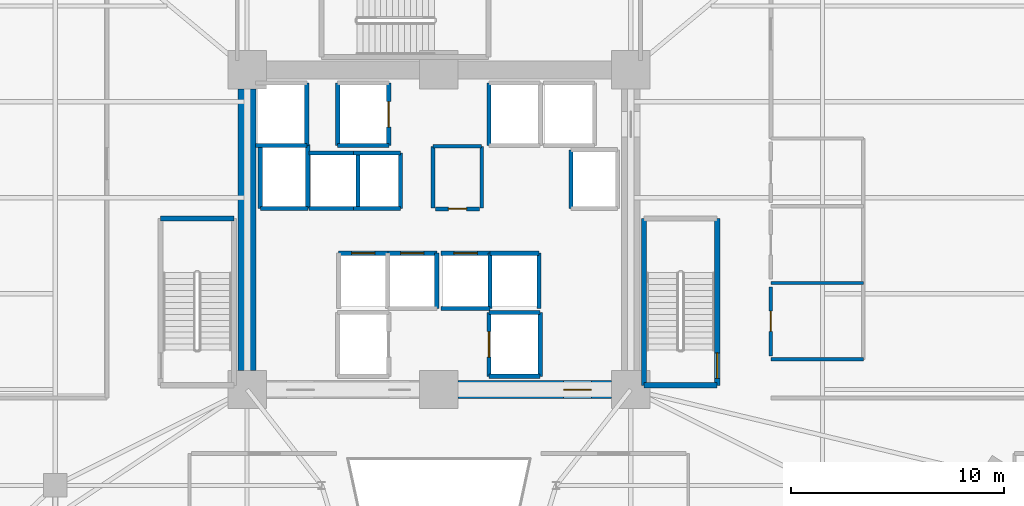
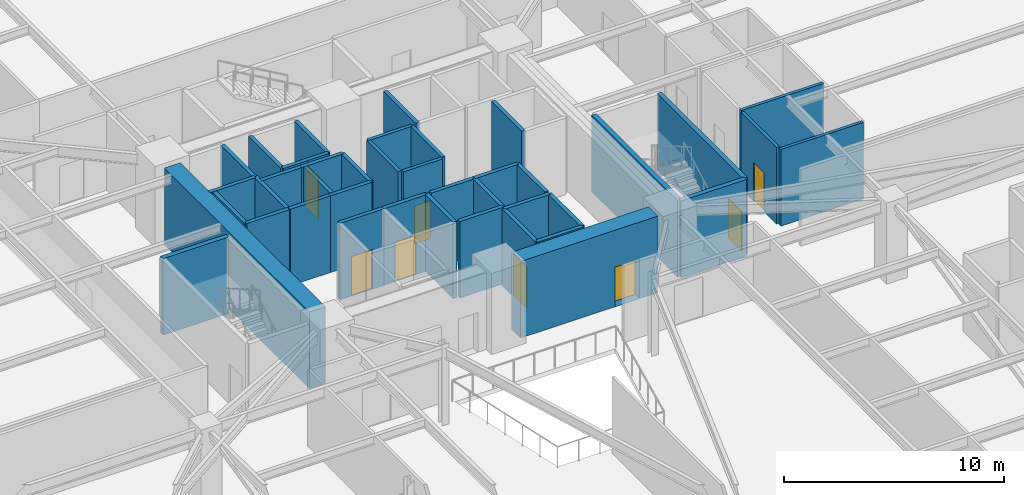
# One storey, part 20 of 29: 41 walls, 9 doors, 9 openings.
"""IFC4 building model written with IfcOpenShell, lengths in metres."""

from ifc_helpers import new_model, si_unit, direction, frame, frame_2d, origin, place, context, subcontext, project, spatial, rectangle, extrude, source, transform, mapped, material, layer, layer_set, type_object, element, fill, save


model = new_model("IFC4")

# Units and contexts
model_context = context("Model", 3, precision=1e-05, world=origin(), true_north=direction((0.0, 1.0)))
body_context = subcontext(model_context, "Body", "Model", "MODEL_VIEW")
ifc_project = project(units=[si_unit("LENGTHUNIT", "METRE"), si_unit("AREAUNIT", "SQUARE_METRE"), si_unit("VOLUMEUNIT", "CUBIC_METRE"), si_unit("PLANEANGLEUNIT", "RADIAN"), si_unit("MASSUNIT", "GRAM", prefix="KILO")], contexts=[model_context])

# Site, building, storey
site_placement = place(None, origin())
site = spatial("IfcSite", under=ifc_project, at=site_placement, CompositionType="ELEMENT")
building_placement = place(site_placement, origin())
building = spatial("IfcBuilding", under=site, at=building_placement, Name="Liaohun Quay Tower", CompositionType="ELEMENT")
storey_placement = place(building_placement, frame((0.0, 0.0, 5.39990234375)))
storey = spatial("IfcBuildingStorey", under=building, at=storey_placement, Name="L02", CompositionType="ELEMENT", Elevation=5.39990234375)

# Wall, opening, door
ifc_material_1 = material(Name="Concrete C60", Category="concrete")
ifc_layer_1 = layer(ifc_material_1, 0.85009765625, Name="Concrete C60", Category="concrete")
ifc_layer_set_1 = layer_set([ifc_layer_1], Name="Concrete C60")
wall_type_1 = type_object("IfcWallType", Name="WAL-COR-Z1", PredefinedType="SHEAR", material=ifc_layer_set_1)
wall_1_placement = place(storey_placement, frame((68.10009765625, 46.5, 0.0), z_axis=(0.0, 0.0, 1.0), x_axis=(-1.0, 0.0, 0.0)))
wall_1 = element("IfcWall", 1, at=wall_1_placement, inside=storey, type_object=wall_type_1, Name="L02 Central Core Shear Wall S-E", PredefinedType="SHEAR", context=body_context, shape_type="SweptSolid", body=[
    extrude(rectangle(XDim=7.2001953125, YDim=0.85009765625, at=frame_2d((3.60009765625, 0.0))), origin(), (0.0, 0.0, 1.0), 4.25),
])
shared_shape_1 = source(origin(), body_context, "Body", "SweptSolid", [
    extrude(rectangle(XDim=1.300048828125, YDim=2.199951171875, at=frame_2d((0.64990234375, 1.10009765625))), frame((0.0, 0.43505859375, 0.0), z_axis=(0.0, -1.0, 0.0), x_axis=(1.0, 0.0, 0.0)), (0.0, 0.0, 1.0), 0.8701171875),
])
opening_1_placement = place(wall_1_placement, frame((0.949951171875, 0.0, 0.0)))
opening_1 = element("IfcOpeningElement", 2, at=opening_1_placement, cuts=wall_1, Name="Opening FD1", PredefinedType="OPENING", context=body_context, shape_type="MappedRepresentation", body=[
    mapped(shared_shape_1, transform((0.0, 0.0, 0.0), x_axis=(1.0, 0.0, 0.0), y_axis=(0.0, 1.0, 0.0), z_axis=(0.0, 0.0, 1.0), scale=1.0)),
])
ifc_material_2 = material(Name="Galvanised steel smokeproof fire door", Category="steel")
door_type_1 = type_object("IfcDoorType", Name="DOR-FFL-1300", OperationType="NOTDEFINED", PredefinedType="DOOR", material=ifc_material_2)
shared_shape_2 = source(origin(), body_context, "Body", "SweptSolid", [
    extrude(rectangle(XDim=1.300048828125, YDim=2.199951171875, at=frame_2d((0.64990234375, 1.10009765625))), frame((0.0, 0.02490234375, 0.0), z_axis=(0.0, -1.0, 0.0), x_axis=(1.0, 0.0, 0.0)), (0.0, 0.0, 1.0), 0.050048828125),
])
door_1_placement = place(opening_1_placement, origin())
door_1 = element("IfcDoor", 3, at=door_1_placement, inside=storey, type_object=door_type_1, Name="L02 East Core Lift Lobby Smokeproof Door", OperationType="SINGLE_SWING_LEFT", OverallHeight=2.199951171875, OverallWidth=1.300048828125, PredefinedType="DOOR", context=body_context, shape_type="MappedRepresentation", body=[
    mapped(shared_shape_2, transform((0.0, 0.0, 0.0), x_axis=(1.0, 0.0, 0.0), y_axis=(0.0, 1.0, 0.0), z_axis=(0.0, 0.0, 1.0), scale=1.0)),
])
fill(opening_1, door_1)

# Wall
wall_2_placement = place(storey_placement, frame((51.0, 47.39990234375, 0.0), z_axis=(0.0, 0.0, 1.0), x_axis=(0.0, 1.0, 0.0)))
element("IfcWall", 4, at=wall_2_placement, inside=storey, type_object=wall_type_1, Name="L02 Central Core Shear Wall W", PredefinedType="SHEAR", context=body_context, shape_type="SweptSolid", body=[
    extrude(rectangle(XDim=13.2001953125, YDim=0.85009765625, at=frame_2d((6.60009765625, 0.0))), origin(), (0.0, 0.0, 1.0), 4.25),
])

# Wall, opening, door
ifc_material_3 = material(Name="Autoclaved aerated concrete blockwork", Category="masonry")
ifc_layer_2 = layer(ifc_material_3, 0.179931640625, Name="Autoclaved aerated concrete blockwork", Category="masonry")
ifc_layer_set_2 = layer_set([ifc_layer_2], Name="Autoclaved aerated concrete blockwork")
wall_type_2 = type_object("IfcWallType", Name="WAL-PRT-COR", PredefinedType="PARTITIONING", material=ifc_layer_set_2)
wall_3_placement = place(storey_placement, frame((59.840087890625, 54.97998046875, 0.0), z_axis=(0.0, 0.0, 1.0), x_axis=(1.0, 0.0, 0.0)))
wall_3 = element("IfcWall", 5, at=wall_3_placement, inside=storey, type_object=wall_type_2, Name="L02 Interior Partition Wall 001", PredefinedType="PARTITIONING", context=body_context, shape_type="SweptSolid", body=[
    extrude(rectangle(XDim=2.059814453125, YDim=0.179931640625, at=frame_2d((1.02978515625, 0.0))), origin(), (0.0, 0.0, 1.0), 4.25),
])
shared_shape_3 = source(origin(), body_context, "Body", "SweptSolid", [
    extrude(rectangle(XDim=0.85009765625, YDim=2.10009765625, at=frame_2d((0.425048828125, 1.050048828125))), frame((0.0, 0.099853515625, 0.0), z_axis=(0.0, -1.0, 0.0), x_axis=(1.0, 0.0, 0.0)), (0.0, 0.0, 1.0), 0.199951171875),
])
opening_2_placement = place(wall_3_placement, frame((0.60498046875, 0.0, 0.0)))
opening_2 = element("IfcOpeningElement", 6, at=opening_2_placement, cuts=wall_3, Name="Opening AD1", PredefinedType="OPENING", context=body_context, shape_type="MappedRepresentation", body=[
    mapped(shared_shape_3, transform((0.0, 0.0, 0.0), x_axis=(1.0, 0.0, 0.0), y_axis=(0.0, 1.0, 0.0), z_axis=(0.0, 0.0, 1.0), scale=1.0)),
])
ifc_material_4 = material(Name="Steel riser inspection fire door", Category="steel")
door_type_2 = type_object("IfcDoorType", Name="DOR-SHF-850", OperationType="NOTDEFINED", PredefinedType="DOOR", material=ifc_material_4)
shared_shape_4 = source(origin(), body_context, "Body", "SweptSolid", [
    extrude(rectangle(XDim=0.85009765625, YDim=2.10009765625, at=frame_2d((0.425048828125, 1.050048828125))), frame((0.0, 0.02490234375, 0.0), z_axis=(0.0, -1.0, 0.0), x_axis=(1.0, 0.0, 0.0)), (0.0, 0.0, 1.0), 0.050048828125),
])
door_2_placement = place(opening_2_placement, origin())
door_2 = element("IfcDoor", 7, at=door_2_placement, inside=storey, type_object=door_type_2, Name="L02 Core Electrical and Telecom Riser Room Door", OperationType="SINGLE_SWING_LEFT", OverallHeight=2.10009765625, OverallWidth=0.85009765625, PredefinedType="DOOR", context=body_context, shape_type="MappedRepresentation", body=[
    mapped(shared_shape_4, transform((0.0, 0.0, 0.0), x_axis=(1.0, 0.0, 0.0), y_axis=(0.0, 1.0, 0.0), z_axis=(0.0, 0.0, 1.0), scale=1.0)),
])
fill(opening_2, door_2)

# Walls
for number, where, z_axis, x_axis, name in (
    (8, (59.719970703125, 55.02001953125, 0.0), (0.0, 0.0, 1.0), (0.0, 1.0, 0.0), "L02 Interior Partition Wall 016"),
    (9, (62.010009765625, 55.02001953125, 0.0), (0.0, 0.0, 1.0), (0.0, 1.0, 0.0), "L02 Interior Partition Wall 017"),
):
    element("IfcWall", number, at=place(storey_placement, frame(where, z_axis=z_axis, x_axis=x_axis)), inside=storey, type_object=wall_type_2, Name=name, PredefinedType="PARTITIONING", context=body_context, shape_type="SweptSolid", body=[
        extrude(rectangle(XDim=2.8798828125, YDim=0.179931640625, at=frame_2d((1.43994140625, 0.0))), origin(), (0.0, 0.0, 1.0), 4.25),
    ])
wall_4_placement = place(storey_placement, frame((59.719970703125, 57.919921875, 0.0), z_axis=(0.0, 0.0, 1.0), x_axis=(1.0, 0.0, 0.0)))
element("IfcWall", 10, at=wall_4_placement, inside=storey, type_object=wall_type_2, Name="L02 Interior Partition Wall 018", PredefinedType="PARTITIONING", context=body_context, shape_type="SweptSolid", body=[
    extrude(rectangle(XDim=2.2900390625, YDim=0.179931640625, at=frame_2d((1.14501953125, 0.0))), origin(), (0.0, 0.0, 1.0), 4.25),
])

# Wall, opening, door
ifc_material_5 = material(Name="Moisture-resistant masonry blockwork", Category="masonry")
ifc_layer_3 = layer(ifc_material_5, 0.159912109375, Name="Moisture-resistant masonry blockwork", Category="masonry")
ifc_layer_set_3 = layer_set([ifc_layer_3], Name="Moisture-resistant masonry blockwork")
wall_type_3 = type_object("IfcWallType", Name="WAL-PRT-WET", PredefinedType="PARTITIONING", material=ifc_layer_set_3)
wall_5_placement = place(storey_placement, frame((75.580078125, 48.080078125, 0.0), z_axis=(0.0, 0.0, 1.0), x_axis=(0.0, 1.0, 0.0)))
wall_5 = element("IfcWall", 11, at=wall_5_placement, inside=storey, type_object=wall_type_3, Name="L02 Interior Partition Wall 002", PredefinedType="PARTITIONING", context=body_context, shape_type="SweptSolid", body=[
    extrude(rectangle(XDim=3.239990234375, YDim=0.159912109375, at=frame_2d((1.6201171875, 0.0))), origin(), (0.0, 0.0, 1.0), 4.25),
])
shared_shape_5 = source(origin(), body_context, "Body", "SweptSolid", [
    extrude(rectangle(XDim=0.949951171875, YDim=2.14990234375, at=frame_2d((0.47509765625, 1.074951171875))), frame((0.0, 0.08984375, 0.0), z_axis=(0.0, -1.0, 0.0), x_axis=(1.0, 0.0, 0.0)), (0.0, 0.0, 1.0), 0.179931640625),
])
opening_3_placement = place(wall_5_placement, frame((1.14501953125, 0.0, 0.0)))
opening_3 = element("IfcOpeningElement", 12, at=opening_3_placement, cuts=wall_5, Name="Opening WD1", PredefinedType="OPENING", context=body_context, shape_type="MappedRepresentation", body=[
    mapped(shared_shape_5, transform((0.0, 0.0, 0.0), x_axis=(1.0, 0.0, 0.0), y_axis=(0.0, 1.0, 0.0), z_axis=(0.0, 0.0, 1.0), scale=1.0)),
])
ifc_material_6 = material(Name="Moisture-resistant laminate timber leaf", Category="wood")
door_type_3 = type_object("IfcDoorType", Name="DOR-WC-950", OperationType="NOTDEFINED", PredefinedType="DOOR", material=ifc_material_6)
shared_shape_6 = source(origin(), body_context, "Body", "SweptSolid", [
    extrude(rectangle(XDim=0.949951171875, YDim=2.14990234375, at=frame_2d((0.47509765625, 1.074951171875))), frame((0.0, 0.02490234375, 0.0), z_axis=(0.0, -1.0, 0.0), x_axis=(1.0, 0.0, 0.0)), (0.0, 0.0, 1.0), 0.050048828125),
])
door_3_placement = place(opening_3_placement, origin())
door_3 = element("IfcDoor", 13, at=door_3_placement, inside=storey, type_object=door_type_3, Name="L02 Podium Male Restroom WC Door", OperationType="SINGLE_SWING_RIGHT", OverallHeight=2.14990234375, OverallWidth=0.949951171875, PredefinedType="DOOR", context=body_context, shape_type="MappedRepresentation", body=[
    mapped(shared_shape_6, transform((0.0, 0.0, 0.0), x_axis=(1.0, 0.0, 0.0), y_axis=(0.0, 1.0, 0.0), z_axis=(0.0, 0.0, 1.0), scale=1.0)),
])
fill(opening_3, door_3)

# Walls
for number, where, z_axis, x_axis, name in (
    (14, (75.580078125, 47.919921875, 0.0), (0.0, 0.0, 1.0), (1.0, 0.0, 0.0), "L02 Interior Partition Wall 020"),
    (15, (75.580078125, 51.5, 0.0), (0.0, 0.0, 1.0), (1.0, 0.0, 0.0), "L02 Interior Partition Wall 021"),
):
    element("IfcWall", number, at=place(storey_placement, frame(where, z_axis=z_axis, x_axis=x_axis)), inside=storey, type_object=wall_type_3, Name=name, PredefinedType="PARTITIONING", context=body_context, shape_type="SweptSolid", body=[
        extrude(rectangle(XDim=4.33984375, YDim=0.159912109375, at=frame_2d((2.169921875, 0.0))), origin(), (0.0, 0.0, 1.0), 4.25),
    ])
ifc_material_7 = material(Name="Concrete C50", Category="concrete")
ifc_layer_4 = layer(ifc_material_7, 0.239990234375, Name="Concrete C50", Category="concrete")
ifc_layer_set_4 = layer_set([ifc_layer_4], Name="Concrete C50")
wall_type_4 = type_object("IfcWallType", Name="WAL-SHF-200", PredefinedType="SOLIDWALL", material=ifc_layer_set_4)
for number, where, z_axis, x_axis, name in (
    (16, (50.3798828125, 54.52001953125, 0.0), (0.0, 0.0, 1.0), (-1.0, 0.0, 0.0), "L02 Stairwell ST-1 Structural Core Wall N"),
    (17, (69.6201171875, 46.699951171875, 0.0), (0.0, 0.0, 1.0), (1.0, 0.0, 0.0), "L02 Stairwell ST-2 Structural Core Wall S"),
):
    element("IfcWall", number, at=place(storey_placement, frame(where, z_axis=z_axis, x_axis=x_axis)), inside=storey, type_object=wall_type_4, Name=name, PredefinedType="SOLIDWALL", context=body_context, shape_type="SweptSolid", body=[
        extrude(rectangle(XDim=3.43994140625, YDim=0.239990234375, at=frame_2d((1.719970703125, 0.0))), origin(), (0.0, 0.0, 1.0), 4.25),
    ])

# Wall, opening, door
wall_6_placement = place(storey_placement, frame((73.06005859375, 46.699951171875, 0.0), z_axis=(0.0, 0.0, 1.0), x_axis=(0.0, 1.0, 0.0)))
wall_6 = element("IfcWall", 18, at=wall_6_placement, inside=storey, type_object=wall_type_4, Name="L02 Stairwell ST-2 Structural Core Wall E", PredefinedType="SOLIDWALL", context=body_context, shape_type="SweptSolid", body=[
    extrude(rectangle(XDim=7.820068359375, YDim=0.239990234375, at=frame_2d((3.91015625, 0.0))), origin(), (0.0, 0.0, 1.0), 4.25),
])
shared_shape_7 = source(origin(), body_context, "Body", "SweptSolid", [
    extrude(rectangle(XDim=1.199951171875, YDim=2.199951171875, at=frame_2d((0.60009765625, 1.10009765625))), frame((0.0, 0.1298828125, 0.0), z_axis=(0.0, -1.0, 0.0), x_axis=(1.0, 0.0, 0.0)), (0.0, 0.0, 1.0), 0.260009765625),
])
opening_4_placement = place(wall_6_placement, frame((0.320068359375, 0.0, 0.0)))
opening_4 = element("IfcOpeningElement", 19, at=opening_4_placement, cuts=wall_6, Name="Opening SD1", PredefinedType="OPENING", context=body_context, shape_type="MappedRepresentation", body=[
    mapped(shared_shape_7, transform((0.0, 0.0, 0.0), x_axis=(1.0, 0.0, 0.0), y_axis=(0.0, 1.0, 0.0), z_axis=(0.0, 0.0, 1.0), scale=1.0)),
])
ifc_material_8 = material(Name="Galvanised steel fire door", Category="steel")
door_type_4 = type_object("IfcDoorType", Name="DOR-STR-1200", OperationType="NOTDEFINED", PredefinedType="DOOR", material=ifc_material_8)
shared_shape_8 = source(origin(), body_context, "Body", "SweptSolid", [
    extrude(rectangle(XDim=1.199951171875, YDim=2.199951171875, at=frame_2d((0.60009765625, 1.10009765625))), frame((0.0, 0.02490234375, 0.0), z_axis=(0.0, -1.0, 0.0), x_axis=(1.0, 0.0, 0.0)), (0.0, 0.0, 1.0), 0.050048828125),
])
door_4_placement = place(opening_4_placement, origin())
door_4 = element("IfcDoor", 20, at=door_4_placement, inside=storey, type_object=door_type_4, Name="L02 Protected Stair ST-2 Fire Door", OperationType="SINGLE_SWING_RIGHT", OverallHeight=2.199951171875, OverallWidth=1.199951171875, PredefinedType="DOOR", context=body_context, shape_type="MappedRepresentation", body=[
    mapped(shared_shape_8, transform((0.0, 0.0, 0.0), x_axis=(1.0, 0.0, 0.0), y_axis=(0.0, 1.0, 0.0), z_axis=(0.0, 0.0, 1.0), scale=1.0)),
])
fill(opening_4, door_4)

# Walls
wall_7_placement = place(storey_placement, frame((69.6201171875, 54.52001953125, 0.0), z_axis=(0.0, 0.0, 1.0), x_axis=(0.0, -1.0, 0.0)))
element("IfcWall", 21, at=wall_7_placement, inside=storey, type_object=wall_type_4, Name="L02 Stairwell ST-2 Structural Core Wall W", PredefinedType="SOLIDWALL", context=body_context, shape_type="SweptSolid", body=[
    extrude(rectangle(XDim=7.820068359375, YDim=0.239990234375, at=frame_2d((3.91015625, 0.0))), origin(), (0.0, 0.0, 1.0), 4.25),
])
wall_8_placement = place(storey_placement, frame((62.35009765625, 47.1201171875, 0.0), z_axis=(0.0, 0.0, 1.0), x_axis=(1.0, 0.0, 0.0)))
element("IfcWall", 22, at=wall_8_placement, inside=storey, type_object=wall_type_4, Name="L02 Lift FF-02 Hoistway Wall S", PredefinedType="SOLIDWALL", context=body_context, shape_type="SweptSolid", body=[
    extrude(rectangle(XDim=2.39990234375, YDim=0.199951171875, at=frame_2d((1.199951171875, 0.0))), origin(), (0.0, 0.0, 1.0), 4.25),
])
wall_9_placement = place(storey_placement, frame((64.75, 47.1201171875, 0.0), z_axis=(0.0, 0.0, 1.0), x_axis=(0.0, 1.0, 0.0)))
element("IfcWall", 23, at=wall_9_placement, inside=storey, type_object=wall_type_4, Name="L02 Lift FF-02 Hoistway Wall E", PredefinedType="SOLIDWALL", context=body_context, shape_type="SweptSolid", body=[
    extrude(rectangle(XDim=3.0, YDim=0.199951171875, at=frame_2d((1.5, 0.0))), origin(), (0.0, 0.0, 1.0), 4.25),
])
wall_10_placement = place(storey_placement, frame((64.75, 50.1201171875, 0.0), z_axis=(0.0, 0.0, 1.0), x_axis=(-1.0, 0.0, 0.0)))
element("IfcWall", 24, at=wall_10_placement, inside=storey, type_object=wall_type_4, Name="L02 Lift FF-02 Hoistway Wall N", PredefinedType="SOLIDWALL", context=body_context, shape_type="SweptSolid", body=[
    extrude(rectangle(XDim=2.39990234375, YDim=0.199951171875, at=frame_2d((1.199951171875, 0.0))), origin(), (0.0, 0.0, 1.0), 4.25),
])

# Wall, opening, door
wall_11_placement = place(storey_placement, frame((62.35009765625, 50.1201171875, 0.0), z_axis=(0.0, 0.0, 1.0), x_axis=(0.0, -1.0, 0.0)))
wall_11 = element("IfcWall", 25, at=wall_11_placement, inside=storey, type_object=wall_type_4, Name="L02 Lift FF-02 Hoistway Wall W", PredefinedType="SOLIDWALL", context=body_context, shape_type="SweptSolid", body=[
    extrude(rectangle(XDim=3.0, YDim=0.199951171875, at=frame_2d((1.5, 0.0))), origin(), (0.0, 0.0, 1.0), 4.25),
])
shared_shape_9 = source(origin(), body_context, "Body", "SweptSolid", [
    extrude(rectangle(XDim=1.199951171875, YDim=2.300048828125, at=frame_2d((0.60009765625, 1.14990234375))), frame((0.0, 0.10986328125, 0.0), z_axis=(0.0, -1.0, 0.0), x_axis=(1.0, 0.0, 0.0)), (0.0, 0.0, 1.0), 0.219970703125),
])
opening_5_placement = place(wall_11_placement, frame((0.89990234375, 0.0, 0.0)))
opening_5 = element("IfcOpeningElement", 26, at=opening_5_placement, cuts=wall_11, Name="Opening LD2", PredefinedType="OPENING", context=body_context, shape_type="MappedRepresentation", body=[
    mapped(shared_shape_9, transform((0.0, 0.0, 0.0), x_axis=(1.0, 0.0, 0.0), y_axis=(0.0, 1.0, 0.0), z_axis=(0.0, 0.0, 1.0), scale=1.0)),
])
ifc_material_9 = material(Name="Brushed stainless steel stretcher landing door", Category="steel")
door_type_5 = type_object("IfcDoorType", Name="DOR-LFT-1200", OperationType="SLIDING_TO_LEFT", PredefinedType="DOOR", material=ifc_material_9)
shared_shape_10 = source(origin(), body_context, "Body", "SweptSolid", [
    extrude(rectangle(XDim=1.199951171875, YDim=2.300048828125, at=frame_2d((0.60009765625, 1.14990234375))), frame((0.0, 0.02490234375, 0.0), z_axis=(0.0, -1.0, 0.0), x_axis=(1.0, 0.0, 0.0)), (0.0, 0.0, 1.0), 0.050048828125),
])
door_5_placement = place(opening_5_placement, origin())
door_5 = element("IfcDoor", 27, at=door_5_placement, inside=storey, type_object=door_type_5, Name="L02 Lift FF-02 Sliding Landing Door", OperationType="SLIDING_TO_LEFT", OverallHeight=2.300048828125, OverallWidth=1.199951171875, PredefinedType="DOOR", context=body_context, shape_type="MappedRepresentation", body=[
    mapped(shared_shape_10, transform((0.0, 0.0, 0.0), x_axis=(1.0, 0.0, 0.0), y_axis=(0.0, 1.0, 0.0), z_axis=(0.0, 0.0, 1.0), scale=1.0)),
])
fill(opening_5, door_5)

# Wall
wall_12_placement = place(storey_placement, frame((55.25, 57.949951171875, 0.0), z_axis=(0.0, 0.0, 1.0), x_axis=(1.0, 0.0, 0.0)))
element("IfcWall", 28, at=wall_12_placement, inside=storey, type_object=wall_type_4, Name="L02 Lift FF-03 Hoistway Wall S", PredefinedType="SOLIDWALL", context=body_context, shape_type="SweptSolid", body=[
    extrude(rectangle(XDim=2.39990234375, YDim=0.199951171875, at=frame_2d((1.199951171875, 0.0))), origin(), (0.0, 0.0, 1.0), 4.25),
])

# Wall, opening, door
wall_13_placement = place(storey_placement, frame((57.64990234375, 57.949951171875, 0.0), z_axis=(0.0, 0.0, 1.0), x_axis=(0.0, 1.0, 0.0)))
wall_13 = element("IfcWall", 29, at=wall_13_placement, inside=storey, type_object=wall_type_4, Name="L02 Lift FF-03 Hoistway Wall E", PredefinedType="SOLIDWALL", context=body_context, shape_type="SweptSolid", body=[
    extrude(rectangle(XDim=2.929931640625, YDim=0.199951171875, at=frame_2d((1.46484375, 0.0))), origin(), (0.0, 0.0, 1.0), 4.25),
])
opening_6_placement = place(wall_13_placement, frame((0.864990234375, 0.0, 0.0)))
opening_6 = element("IfcOpeningElement", 30, at=opening_6_placement, cuts=wall_13, Name="Opening LD2", PredefinedType="OPENING", context=body_context, shape_type="MappedRepresentation", body=[
    mapped(shared_shape_9, transform((0.0, 0.0, 0.0), x_axis=(1.0, 0.0, 0.0), y_axis=(0.0, 1.0, 0.0), z_axis=(0.0, 0.0, 1.0), scale=1.0)),
])
door_6_placement = place(opening_6_placement, origin())
door_6 = element("IfcDoor", 31, at=door_6_placement, inside=storey, type_object=door_type_5, Name="L02 Lift FF-03 Sliding Landing Door", OperationType="SLIDING_TO_LEFT", OverallHeight=2.300048828125, OverallWidth=1.199951171875, PredefinedType="DOOR", context=body_context, shape_type="MappedRepresentation", body=[
    mapped(shared_shape_10, transform((0.0, 0.0, 0.0), x_axis=(1.0, 0.0, 0.0), y_axis=(0.0, 1.0, 0.0), z_axis=(0.0, 0.0, 1.0), scale=1.0)),
])
fill(opening_6, door_6)

# Walls
for number, where, z_axis, x_axis, name in (
    (32, (55.25, 60.8798828125, 0.0), (0.0, 0.0, 1.0), (0.0, -1.0, 0.0), "L02 Lift FF-03 Hoistway Wall W"),
    (33, (62.35009765625, 60.8798828125, 0.0), (0.0, 0.0, 1.0), (0.0, -1.0, 0.0), "L02 Lift OB-01 Hoistway Wall W"),
):
    element("IfcWall", number, at=place(storey_placement, frame(where, z_axis=z_axis, x_axis=x_axis)), inside=storey, type_object=wall_type_4, Name=name, PredefinedType="SOLIDWALL", context=body_context, shape_type="SweptSolid", body=[
        extrude(rectangle(XDim=2.929931640625, YDim=0.199951171875, at=frame_2d((1.46484375, 0.0))), origin(), (0.0, 0.0, 1.0), 4.25),
    ])
wall_14_placement = place(storey_placement, frame((51.39990234375, 57.949951171875, 0.0), z_axis=(0.0, 0.0, 1.0), x_axis=(1.0, 0.0, 0.0)))
element("IfcWall", 34, at=wall_14_placement, inside=storey, type_object=wall_type_4, Name="L02 Lift SH-01 Hoistway Wall S", PredefinedType="SOLIDWALL", context=body_context, shape_type="SweptSolid", body=[
    extrude(rectangle(XDim=2.400146484375, YDim=0.199951171875, at=frame_2d((1.2001953125, 0.0))), origin(), (0.0, 0.0, 1.0), 4.25),
])
wall_15_placement = place(storey_placement, frame((53.800048828125, 57.949951171875, 0.0), z_axis=(0.0, 0.0, 1.0), x_axis=(0.0, 1.0, 0.0)))
element("IfcWall", 35, at=wall_15_placement, inside=storey, type_object=wall_type_4, Name="L02 Lift SH-01 Hoistway Wall E", PredefinedType="SOLIDWALL", context=body_context, shape_type="SweptSolid", body=[
    extrude(rectangle(XDim=2.929931640625, YDim=0.199951171875, at=frame_2d((1.46484375, 0.0))), origin(), (0.0, 0.0, 1.0), 4.25),
])
wall_16_placement = place(storey_placement, frame((51.6201171875, 55.0, 0.0), z_axis=(0.0, 0.0, 1.0), x_axis=(1.0, 0.0, 0.0)))
element("IfcWall", 36, at=wall_16_placement, inside=storey, type_object=wall_type_4, Name="L02 Lift SH-02 Hoistway Wall S", PredefinedType="SOLIDWALL", context=body_context, shape_type="SweptSolid", body=[
    extrude(rectangle(XDim=2.22998046875, YDim=0.199951171875, at=frame_2d((1.114990234375, 0.0))), origin(), (0.0, 0.0, 1.0), 4.25),
])
for number, where, z_axis, x_axis, name in (
    (37, (53.85009765625, 55.0, 0.0), (0.0, 0.0, 1.0), (0.0, 1.0, 0.0), "L02 Lift SH-02 Hoistway Wall E"),
    (38, (51.6201171875, 58.0, 0.0), (0.0, 0.0, 1.0), (0.0, -1.0, 0.0), "L02 Lift SH-02 Hoistway Wall W"),
):
    element("IfcWall", number, at=place(storey_placement, frame(where, z_axis=z_axis, x_axis=x_axis)), inside=storey, type_object=wall_type_4, Name=name, PredefinedType="SOLIDWALL", context=body_context, shape_type="SweptSolid", body=[
        extrude(rectangle(XDim=3.0, YDim=0.199951171875, at=frame_2d((1.5, 0.0))), origin(), (0.0, 0.0, 1.0), 4.25),
    ])
wall_17_placement = place(storey_placement, frame((66.199951171875, 57.75, 0.0), z_axis=(0.0, 0.0, 1.0), x_axis=(0.0, -1.0, 0.0)))
element("IfcWall", 39, at=wall_17_placement, inside=storey, type_object=wall_type_4, Name="L02 Lift SH-03 Hoistway Wall W", PredefinedType="SOLIDWALL", context=body_context, shape_type="SweptSolid", body=[
    extrude(rectangle(XDim=2.75, YDim=0.199951171875, at=frame_2d((1.375, 0.0))), origin(), (0.0, 0.0, 1.0), 4.25),
])

# Wall, opening, door
wall_18_placement = place(storey_placement, frame((57.60009765625, 52.89990234375, 0.0), z_axis=(0.0, 0.0, 1.0), x_axis=(-1.0, 0.0, 0.0)))
wall_18 = element("IfcWall", 40, at=wall_18_placement, inside=storey, type_object=wall_type_4, Name="L02 Lift PL-1A Hoistway Wall N", PredefinedType="SOLIDWALL", context=body_context, shape_type="SweptSolid", body=[
    extrude(rectangle(XDim=2.300048828125, YDim=0.199951171875, at=frame_2d((1.14990234375, 0.0))), origin(), (0.0, 0.0, 1.0), 4.25),
])
shared_shape_11 = source(origin(), body_context, "Body", "SweptSolid", [
    extrude(rectangle(XDim=1.10009765625, YDim=2.199951171875, at=frame_2d((0.550048828125, 1.10009765625))), frame((0.0, 0.10986328125, 0.0), z_axis=(0.0, -1.0, 0.0), x_axis=(1.0, 0.0, 0.0)), (0.0, 0.0, 1.0), 0.219970703125),
])
opening_7_placement = place(wall_18_placement, frame((0.60009765625, 0.0, 0.0)))
opening_7 = element("IfcOpeningElement", 41, at=opening_7_placement, cuts=wall_18, Name="Opening LD1", PredefinedType="OPENING", context=body_context, shape_type="MappedRepresentation", body=[
    mapped(shared_shape_11, transform((0.0, 0.0, 0.0), x_axis=(1.0, 0.0, 0.0), y_axis=(0.0, 1.0, 0.0), z_axis=(0.0, 0.0, 1.0), scale=1.0)),
])
ifc_material_10 = material(Name="Brushed stainless steel landing door", Category="steel")
door_type_6 = type_object("IfcDoorType", Name="DOR-LFT-1100", OperationType="SLIDING_TO_LEFT", PredefinedType="DOOR", material=ifc_material_10)
shared_shape_12 = source(origin(), body_context, "Body", "SweptSolid", [
    extrude(rectangle(XDim=1.10009765625, YDim=2.199951171875, at=frame_2d((0.550048828125, 1.10009765625))), frame((0.0, 0.02490234375, 0.0), z_axis=(0.0, -1.0, 0.0), x_axis=(1.0, 0.0, 0.0)), (0.0, 0.0, 1.0), 0.050048828125),
])
door_7_placement = place(opening_7_placement, origin())
door_7 = element("IfcDoor", 42, at=door_7_placement, inside=storey, type_object=door_type_6, Name="L02 Lift PL-1A Sliding Landing Door", OperationType="SLIDING_TO_LEFT", OverallHeight=2.199951171875, OverallWidth=1.10009765625, PredefinedType="DOOR", context=body_context, shape_type="MappedRepresentation", body=[
    mapped(shared_shape_12, transform((0.0, 0.0, 0.0), x_axis=(1.0, 0.0, 0.0), y_axis=(0.0, 1.0, 0.0), z_axis=(0.0, 0.0, 1.0), scale=1.0)),
])
fill(opening_7, door_7)

# Wall
wall_19_placement = place(storey_placement, frame((59.89990234375, 50.300048828125, 0.0), z_axis=(0.0, 0.0, 1.0), x_axis=(0.0, 1.0, 0.0)))
element("IfcWall", 43, at=wall_19_placement, inside=storey, type_object=wall_type_4, Name="L02 Lift PL-1B Hoistway Wall E", PredefinedType="SOLIDWALL", context=body_context, shape_type="SweptSolid", body=[
    extrude(rectangle(XDim=2.599853515625, YDim=0.199951171875, at=frame_2d((1.2998046875, 0.0))), origin(), (0.0, 0.0, 1.0), 4.25),
])

# Wall, opening, door
wall_20_placement = place(storey_placement, frame((59.89990234375, 52.89990234375, 0.0), z_axis=(0.0, 0.0, 1.0), x_axis=(-1.0, 0.0, 0.0)))
wall_20 = element("IfcWall", 44, at=wall_20_placement, inside=storey, type_object=wall_type_4, Name="L02 Lift PL-1B Hoistway Wall N", PredefinedType="SOLIDWALL", context=body_context, shape_type="SweptSolid", body=[
    extrude(rectangle(XDim=2.2998046875, YDim=0.199951171875, at=frame_2d((1.14990234375, 0.0))), origin(), (0.0, 0.0, 1.0), 4.25),
])
opening_8_placement = place(wall_20_placement, frame((0.60009765625, 0.0, 0.0)))
opening_8 = element("IfcOpeningElement", 45, at=opening_8_placement, cuts=wall_20, Name="Opening LD1", PredefinedType="OPENING", context=body_context, shape_type="MappedRepresentation", body=[
    mapped(shared_shape_11, transform((0.0, 0.0, 0.0), x_axis=(1.0, 0.0, 0.0), y_axis=(0.0, 1.0, 0.0), z_axis=(0.0, 0.0, 1.0), scale=1.0)),
])
door_8_placement = place(opening_8_placement, origin())
door_8 = element("IfcDoor", 46, at=door_8_placement, inside=storey, type_object=door_type_6, Name="L02 Lift PL-1B Sliding Landing Door", OperationType="SLIDING_TO_LEFT", OverallHeight=2.199951171875, OverallWidth=1.10009765625, PredefinedType="DOOR", context=body_context, shape_type="MappedRepresentation", body=[
    mapped(shared_shape_12, transform((0.0, 0.0, 0.0), x_axis=(1.0, 0.0, 0.0), y_axis=(0.0, 1.0, 0.0), z_axis=(0.0, 0.0, 1.0), scale=1.0)),
])
fill(opening_8, door_8)

# Walls
wall_21_placement = place(storey_placement, frame((60.10009765625, 50.300048828125, 0.0), z_axis=(0.0, 0.0, 1.0), x_axis=(1.0, 0.0, 0.0)))
element("IfcWall", 47, at=wall_21_placement, inside=storey, type_object=wall_type_4, Name="L02 Lift PL-1C Hoistway Wall S", PredefinedType="SOLIDWALL", context=body_context, shape_type="SweptSolid", body=[
    extrude(rectangle(XDim=2.2998046875, YDim=0.199951171875, at=frame_2d((1.14990234375, 0.0))), origin(), (0.0, 0.0, 1.0), 4.25),
])
wall_22_placement = place(storey_placement, frame((62.39990234375, 50.300048828125, 0.0), z_axis=(0.0, 0.0, 1.0), x_axis=(0.0, 1.0, 0.0)))
element("IfcWall", 48, at=wall_22_placement, inside=storey, type_object=wall_type_4, Name="L02 Lift PL-1C Hoistway Wall E", PredefinedType="SOLIDWALL", context=body_context, shape_type="SweptSolid", body=[
    extrude(rectangle(XDim=2.599853515625, YDim=0.199951171875, at=frame_2d((1.2998046875, 0.0))), origin(), (0.0, 0.0, 1.0), 4.25),
])

# Wall, opening, door
wall_23_placement = place(storey_placement, frame((62.39990234375, 52.89990234375, 0.0), z_axis=(0.0, 0.0, 1.0), x_axis=(-1.0, 0.0, 0.0)))
wall_23 = element("IfcWall", 49, at=wall_23_placement, inside=storey, type_object=wall_type_4, Name="L02 Lift PL-1C Hoistway Wall N", PredefinedType="SOLIDWALL", context=body_context, shape_type="SweptSolid", body=[
    extrude(rectangle(XDim=2.2998046875, YDim=0.199951171875, at=frame_2d((1.14990234375, 0.0))), origin(), (0.0, 0.0, 1.0), 4.25),
])
opening_9_placement = place(wall_23_placement, frame((0.60009765625, 0.0, 0.0)))
opening_9 = element("IfcOpeningElement", 50, at=opening_9_placement, cuts=wall_23, Name="Opening LD1", PredefinedType="OPENING", context=body_context, shape_type="MappedRepresentation", body=[
    mapped(shared_shape_11, transform((0.0, 0.0, 0.0), x_axis=(1.0, 0.0, 0.0), y_axis=(0.0, 1.0, 0.0), z_axis=(0.0, 0.0, 1.0), scale=1.0)),
])
door_9_placement = place(opening_9_placement, origin())
door_9 = element("IfcDoor", 51, at=door_9_placement, inside=storey, type_object=door_type_6, Name="L02 Lift PL-1C Sliding Landing Door", OperationType="SLIDING_TO_LEFT", OverallHeight=2.199951171875, OverallWidth=1.10009765625, PredefinedType="DOOR", context=body_context, shape_type="MappedRepresentation", body=[
    mapped(shared_shape_12, transform((0.0, 0.0, 0.0), x_axis=(1.0, 0.0, 0.0), y_axis=(0.0, 1.0, 0.0), z_axis=(0.0, 0.0, 1.0), scale=1.0)),
])
fill(opening_9, door_9)

# Walls
wall_24_placement = place(storey_placement, frame((64.699951171875, 50.300048828125, 0.0), z_axis=(0.0, 0.0, 1.0), x_axis=(0.0, 1.0, 0.0)))
element("IfcWall", 52, at=wall_24_placement, inside=storey, type_object=wall_type_4, Name="L02 Lift PL-2A Hoistway Wall E", PredefinedType="SOLIDWALL", context=body_context, shape_type="SweptSolid", body=[
    extrude(rectangle(XDim=2.599853515625, YDim=0.199951171875, at=frame_2d((1.2998046875, 0.0))), origin(), (0.0, 0.0, 1.0), 4.25),
])
for number, where, z_axis, x_axis, name in (
    (53, (64.699951171875, 52.89990234375, 0.0), (0.0, 0.0, 1.0), (-1.0, 0.0, 0.0), "L02 Lift PL-2A Hoistway Wall N"),
    (54, (53.89990234375, 55.0, 0.0), (0.0, 0.0, 1.0), (1.0, 0.0, 0.0), "L02 Lift PL-2B Hoistway Wall S"),
):
    element("IfcWall", number, at=place(storey_placement, frame(where, z_axis=z_axis, x_axis=x_axis)), inside=storey, type_object=wall_type_4, Name=name, PredefinedType="SOLIDWALL", context=body_context, shape_type="SweptSolid", body=[
        extrude(rectangle(XDim=2.300048828125, YDim=0.199951171875, at=frame_2d((1.14990234375, 0.0))), origin(), (0.0, 0.0, 1.0), 4.25),
    ])
wall_25_placement = place(storey_placement, frame((56.199951171875, 55.0, 0.0), z_axis=(0.0, 0.0, 1.0), x_axis=(0.0, 1.0, 0.0)))
element("IfcWall", 55, at=wall_25_placement, inside=storey, type_object=wall_type_4, Name="L02 Lift PL-2B Hoistway Wall E", PredefinedType="SOLIDWALL", context=body_context, shape_type="SweptSolid", body=[
    extrude(rectangle(XDim=2.60009765625, YDim=0.199951171875, at=frame_2d((1.300048828125, 0.0))), origin(), (0.0, 0.0, 1.0), 4.25),
])
wall_26_placement = place(storey_placement, frame((56.199951171875, 57.60009765625, 0.0), z_axis=(0.0, 0.0, 1.0), x_axis=(-1.0, 0.0, 0.0)))
element("IfcWall", 56, at=wall_26_placement, inside=storey, type_object=wall_type_4, Name="L02 Lift PL-2B Hoistway Wall N", PredefinedType="SOLIDWALL", context=body_context, shape_type="SweptSolid", body=[
    extrude(rectangle(XDim=2.300048828125, YDim=0.199951171875, at=frame_2d((1.14990234375, 0.0))), origin(), (0.0, 0.0, 1.0), 4.25),
])
wall_27_placement = place(storey_placement, frame((56.0, 55.0, 0.0), z_axis=(0.0, 0.0, 1.0), x_axis=(1.0, 0.0, 0.0)))
element("IfcWall", 57, at=wall_27_placement, inside=storey, type_object=wall_type_4, Name="L02 Lift PL-2C Hoistway Wall S", PredefinedType="SOLIDWALL", context=body_context, shape_type="SweptSolid", body=[
    extrude(rectangle(XDim=2.199951171875, YDim=0.199951171875, at=frame_2d((1.10009765625, 0.0))), origin(), (0.0, 0.0, 1.0), 4.25),
])
wall_28_placement = place(storey_placement, frame((58.199951171875, 55.0, 0.0), z_axis=(0.0, 0.0, 1.0), x_axis=(0.0, 1.0, 0.0)))
element("IfcWall", 58, at=wall_28_placement, inside=storey, type_object=wall_type_4, Name="L02 Lift PL-2C Hoistway Wall E", PredefinedType="SOLIDWALL", context=body_context, shape_type="SweptSolid", body=[
    extrude(rectangle(XDim=2.60009765625, YDim=0.199951171875, at=frame_2d((1.300048828125, 0.0))), origin(), (0.0, 0.0, 1.0), 4.25),
])
wall_29_placement = place(storey_placement, frame((58.199951171875, 57.60009765625, 0.0), z_axis=(0.0, 0.0, 1.0), x_axis=(-1.0, 0.0, 0.0)))
element("IfcWall", 59, at=wall_29_placement, inside=storey, type_object=wall_type_4, Name="L02 Lift PL-2C Hoistway Wall N", PredefinedType="SOLIDWALL", context=body_context, shape_type="SweptSolid", body=[
    extrude(rectangle(XDim=2.199951171875, YDim=0.199951171875, at=frame_2d((1.10009765625, 0.0))), origin(), (0.0, 0.0, 1.0), 4.25),
])

save(model, "model.ifc")
